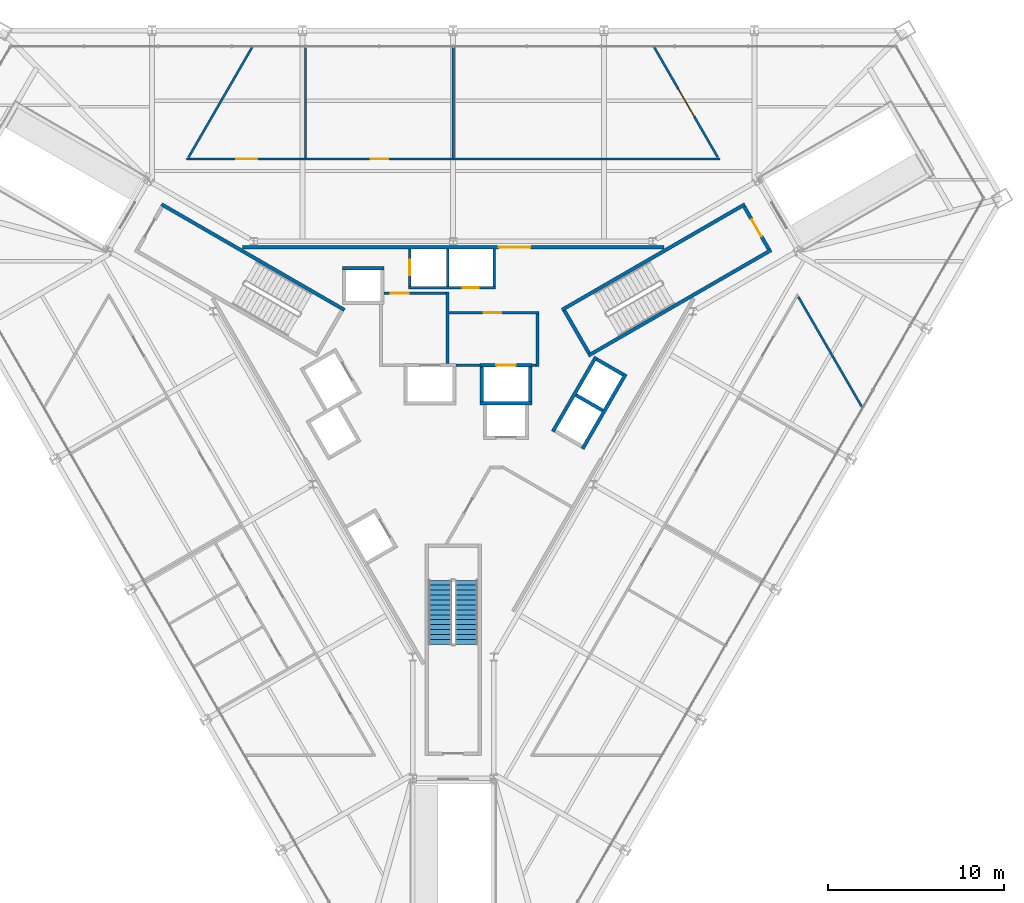
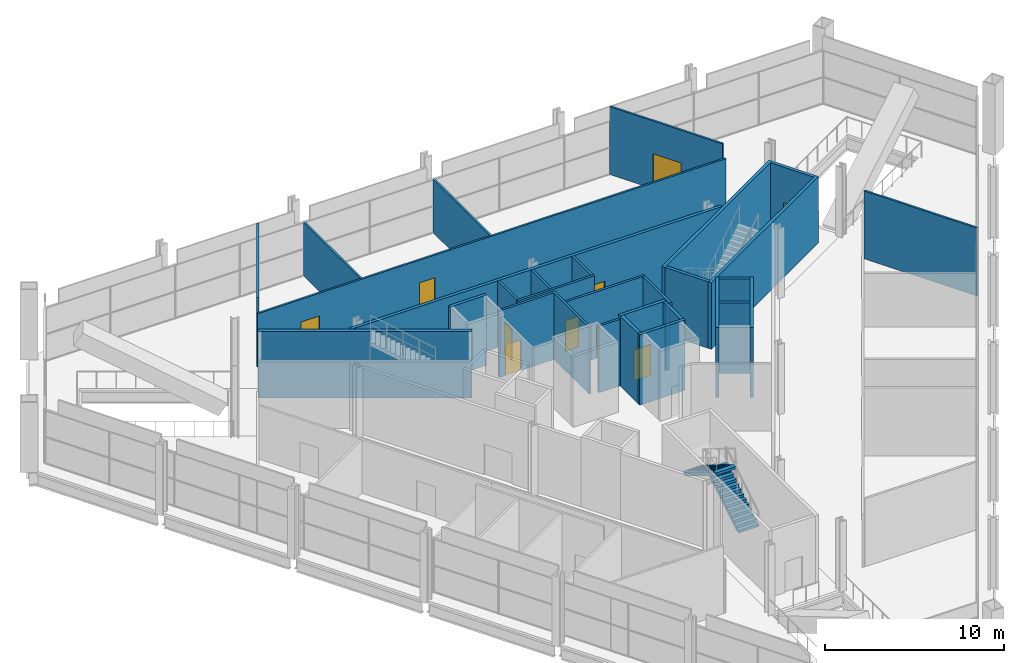
# One storey, part 14 of 18: 31 walls, 10 doors, 2 stair flights, 10 openings, 1 element without a shape of its own.
"""IFC4 building model written with IfcOpenShell, lengths in metres."""

from ifc_helpers import new_model, si_unit, direction, frame, frame_2d, origin, place, context, subcontext, project, spatial, polyline, rectangle, outline, extrude, material, layer, layer_set, type_object, element, fill, aggregate, save


model = new_model("IFC4")

# Units and contexts
model_context = context("Model", 3, precision=1e-05, world=origin(), true_north=direction((0.0, 1.0)))
body_context = subcontext(model_context, "Body", "Model", "MODEL_VIEW")
ifc_project = project(units=[si_unit("LENGTHUNIT", "METRE"), si_unit("AREAUNIT", "SQUARE_METRE"), si_unit("VOLUMEUNIT", "CUBIC_METRE"), si_unit("PLANEANGLEUNIT", "RADIAN"), si_unit("MASSUNIT", "GRAM", prefix="KILO")], contexts=[model_context])

# Site, building, storey
site_placement = place(None, origin())
site = spatial("IfcSite", under=ifc_project, at=site_placement, CompositionType="ELEMENT")
building_placement = place(site_placement, origin())
building = spatial("IfcBuilding", under=site, at=building_placement, Name="Verrane Prism Tower", CompositionType="ELEMENT")
storey_placement = place(building_placement, frame((0.0, 0.0, 22.39990234375)))
storey = spatial("IfcBuildingStorey", under=building, at=storey_placement, Name="L03", CompositionType="ELEMENT", Elevation=22.39990234375)

# Walls
ifc_material_1 = material(Name="Gypsum board partition", Category="other")
ifc_layer_1 = layer(ifc_material_1, 0.125)
ifc_layer_set_1 = layer_set([ifc_layer_1], Name="BW-125 demising wall 1 h")
wall_type_1 = type_object("IfcWallType", Name="BW-125 demising wall 1 h", PredefinedType="PARTITIONING", material=ifc_layer_set_1)
for number, where, z_axis, x_axis, name in (
    (1, (-8.383056640625, 13.9326171875, 0.0), (0.0, 0.0, 1.0), (0.0, 1.0, 0.0), "Demising wall 012"),
    (2, (0.0, 13.9326171875, 0.0), (0.0, 0.0, 1.0), (0.0, 1.0, 0.0), "Demising wall 013"),
):
    element("IfcWall", number, at=place(storey_placement, frame(where, z_axis=z_axis, x_axis=x_axis)), inside=storey, type_object=wall_type_1, Name=name, PredefinedType="PARTITIONING", context=body_context, shape_type="SweptSolid", body=[
        extrude(rectangle(XDim=6.33740234375, YDim=0.125, at=frame_2d((3.168701171875, 0.0))), origin(), (0.0, 0.0, 1.0), 3.653076171875),
    ])
ifc_material_2 = material(Name="Gypsum board partition", Category="other")
ifc_layer_2 = layer(ifc_material_2, 0.125)
ifc_layer_set_2 = layer_set([ifc_layer_2], Name="BW-125 shopfront wall 1 h")
wall_type_2 = type_object("IfcWallType", Name="BW-125 shopfront wall 1 h", PredefinedType="PARTITIONING", material=ifc_layer_set_2)
wall_1_placement = place(storey_placement, frame((-15.033447265625, 13.9609375, 0.0), z_axis=(0.0, 0.0, 1.0), x_axis=(0.499977739203, 0.86603825568, 0.0)))
element("IfcWall", 3, at=wall_1_placement, inside=storey, type_object=wall_type_2, Name="Shopfront wall 006", PredefinedType="PARTITIONING", context=body_context, shape_type="SweptSolid", body=[
    extrude(rectangle(XDim=7.284912109375, YDim=0.125, at=frame_2d((3.642578125, 0.0))), origin(), (0.0, 0.0, 1.0), 4.64013671875),
])

# Wall, openings, doors
wall_2_placement = place(storey_placement, frame((-15.1484375, 13.8701171875, 0.0), z_axis=(0.0, 0.0, 1.0), x_axis=(1.0, 0.0, 0.0)))
wall_2 = element("IfcWall", 4, at=wall_2_placement, inside=storey, type_object=wall_type_2, Name="Shopfront wall 007", PredefinedType="PARTITIONING", context=body_context, shape_type="SweptSolid", body=[
    extrude(rectangle(XDim=30.296875, YDim=0.125, at=frame_2d((15.1484375, 0.0))), origin(), (0.0, 0.0, 1.0), 3.653076171875),
])
opening_1_placement = place(wall_2_placement, frame((10.465576171875, 0.0, 0.0)))
opening_1 = element("IfcOpeningElement", 5, at=opening_1_placement, cuts=wall_2, Name="Opening D03002", PredefinedType="OPENING", context=body_context, shape_type="SweptSolid", body=[
    extrude(rectangle(XDim=1.0, YDim=2.10009765625, at=frame_2d((0.5, 1.050048828125))), frame((0.0, 0.072509765625, 0.0), z_axis=(0.0, -1.0, 0.0), x_axis=(1.0, 0.0, 0.0)), (0.0, 0.0, 1.0), 0.14501953125),
])
opening_2_placement = place(wall_2_placement, frame((2.8125, 0.0, 0.0)))
opening_2 = element("IfcOpeningElement", 6, at=opening_2_placement, cuts=wall_2, Name="Opening D03003", PredefinedType="OPENING", context=body_context, shape_type="SweptSolid", body=[
    extrude(rectangle(XDim=1.199951171875, YDim=2.10009765625, at=frame_2d((0.60009765625, 1.050048828125))), frame((0.0, 0.072509765625, 0.0), z_axis=(0.0, -1.0, 0.0), x_axis=(1.0, 0.0, 0.0)), (0.0, 0.0, 1.0), 0.14501953125),
])
ifc_material_3 = material(Name="Timber veneered door leaf", Category="wood")
door_type_1 = type_object("IfcDoorType", Name="DR-1000x2100 FD20 single leaf shopfront", OperationType="NOTDEFINED", PredefinedType="DOOR", material=ifc_material_3)
door_1_placement = place(opening_1_placement, origin())
door_1 = element("IfcDoor", 7, at=door_1_placement, inside=storey, type_object=door_type_1, Name="Door Cafe 0302", OperationType="SINGLE_SWING_RIGHT", OverallHeight=2.10009765625, OverallWidth=1.0, PredefinedType="DOOR", context=body_context, shape_type="SweptSolid", body=[
    extrude(rectangle(XDim=1.0, YDim=2.10009765625, at=frame_2d((0.5, 1.050048828125))), frame((0.0, 0.02490234375, 0.0), z_axis=(0.0, -1.0, 0.0), x_axis=(1.0, 0.0, 0.0)), (0.0, 0.0, 1.0), 0.050048828125),
])
fill(opening_1, door_1)
ifc_material_4 = material(Name="Timber veneered door leaf", Category="wood")
door_type_2 = type_object("IfcDoorType", Name="DR-1200x2100 FD20 single leaf shopfront", OperationType="NOTDEFINED", PredefinedType="DOOR", material=ifc_material_4)
door_2_placement = place(opening_2_placement, origin())
door_2 = element("IfcDoor", 8, at=door_2_placement, inside=storey, type_object=door_type_2, Name="Door Shop 0303", OperationType="SINGLE_SWING_LEFT", OverallHeight=2.10009765625, OverallWidth=1.199951171875, PredefinedType="DOOR", context=body_context, shape_type="SweptSolid", body=[
    extrude(rectangle(XDim=1.199951171875, YDim=2.10009765625, at=frame_2d((0.60009765625, 1.050048828125))), frame((0.0, 0.02490234375, 0.0), z_axis=(0.0, -1.0, 0.0), x_axis=(1.0, 0.0, 0.0)), (0.0, 0.0, 1.0), 0.050048828125),
])
fill(opening_2, door_2)

# Wall, opening, door
wall_3_placement = place(storey_placement, frame((15.033447265625, 13.9609375, 0.0), z_axis=(0.0, 0.0, 1.0), x_axis=(-0.499977739203, 0.86603825568, 0.0)))
wall_3 = element("IfcWall", 9, at=wall_3_placement, inside=storey, type_object=wall_type_2, Name="Shopfront wall 017", PredefinedType="PARTITIONING", context=body_context, shape_type="SweptSolid", body=[
    extrude(rectangle(XDim=7.284912109375, YDim=0.125, at=frame_2d((3.642578125, 0.0))), origin(), (0.0, 0.0, 1.0), 4.64013671875),
])
opening_3_placement = place(wall_3_placement, frame((2.68505859375, 0.0, 0.0)))
opening_3 = element("IfcOpeningElement", 10, at=opening_3_placement, cuts=wall_3, Name="Opening D03001", PredefinedType="OPENING", context=body_context, shape_type="SweptSolid", body=[
    extrude(rectangle(XDim=1.800048828125, YDim=2.39990234375, at=frame_2d((0.89990234375, 1.199951171875))), frame((0.0, 0.072509765625, 0.0), z_axis=(0.0, -1.0, 0.0), x_axis=(1.0, 0.0, 0.0)), (0.0, 0.0, 1.0), 0.14501953125),
])
ifc_material_5 = material(Name="Aluminium and glass door leaf", Category="aluminium")
door_type_3 = type_object("IfcDoorType", Name="DR-1800x2400 FD20 double leaf shopfront", OperationType="NOTDEFINED", PredefinedType="DOOR", material=ifc_material_5)
door_3_placement = place(opening_3_placement, origin())
door_3 = element("IfcDoor", 11, at=door_3_placement, inside=storey, type_object=door_type_3, Name="Door Restaurant 0301", OperationType="DOUBLE_DOOR_SINGLE_SWING", OverallHeight=2.39990234375, OverallWidth=1.800048828125, PredefinedType="DOOR", context=body_context, shape_type="SweptSolid", body=[
    extrude(rectangle(XDim=1.800048828125, YDim=2.39990234375, at=frame_2d((0.89990234375, 1.199951171875))), frame((0.0, 0.02490234375, 0.0), z_axis=(0.0, -1.0, 0.0), x_axis=(1.0, 0.0, 0.0)), (0.0, 0.0, 1.0), 0.050048828125),
])
fill(opening_3, door_3)

# Wall
wall_4_placement = place(storey_placement, frame((19.607421875, 6.0390625, 0.0), z_axis=(0.0, 0.0, 1.0), x_axis=(0.500002873931, -0.866023744513, 0.0)))
element("IfcWall", 12, at=wall_4_placement, inside=storey, type_object=wall_type_2, Name="Shopfront wall 020", PredefinedType="PARTITIONING", context=body_context, shape_type="SweptSolid", body=[
    extrude(rectangle(XDim=7.28515625, YDim=0.125, at=frame_2d((3.642578125, 0.0))), origin(), (0.0, 0.0, 1.0), 4.64013671875),
])

# Wall, opening, door
ifc_material_6 = material(Name="Gypsum board partition", Category="other")
ifc_layer_3 = layer(ifc_material_6, 0.199951171875)
ifc_layer_set_3 = layer_set([ifc_layer_3], Name="CW-200 core boundary wall 2 h")
wall_type_3 = type_object("IfcWallType", Name="CW-200 core boundary wall 2 h", PredefinedType="PARTITIONING", material=ifc_layer_set_3)
wall_5_placement = place(storey_placement, frame((11.986083984375, 8.860107421875, 0.0), z_axis=(0.0, 0.0, 1.0), x_axis=(-1.0, 0.0, 0.0)))
wall_5 = element("IfcWall", 13, at=wall_5_placement, inside=storey, type_object=wall_type_3, Name="Core boundary wall CW3-002", PredefinedType="PARTITIONING", context=body_context, shape_type="SweptSolid", body=[
    extrude(rectangle(XDim=23.967041015625, YDim=0.199951171875, at=frame_2d((11.9833984375, 0.0))), origin(), (0.0, 0.0, 1.0), 4.550048828125),
])
opening_4_placement = place(wall_5_placement, frame((7.595947265625, 0.0, 0.0)))
opening_4 = element("IfcOpeningElement", 14, at=opening_4_placement, cuts=wall_5, Name="Opening D03509", PredefinedType="OPENING", context=body_context, shape_type="SweptSolid", body=[
    extrude(rectangle(XDim=1.800048828125, YDim=2.10009765625, at=frame_2d((0.89990234375, 1.050048828125))), frame((0.0, 0.10986328125, 0.0), z_axis=(0.0, -1.0, 0.0), x_axis=(1.0, 0.0, 0.0)), (0.0, 0.0, 1.0), 0.219970703125),
])
ifc_material_7 = material(Name="Timber veneered door leaf", Category="wood")
door_type_4 = type_object("IfcDoorType", Name="DR-1800x2100 FD60 double leaf lift lobby", OperationType="NOTDEFINED", PredefinedType="DOOR", material=ifc_material_7)
door_4_placement = place(opening_4_placement, origin())
door_4 = element("IfcDoor", 15, at=door_4_placement, inside=storey, type_object=door_type_4, Name="Lift lobby door D03509", OperationType="DOUBLE_DOOR_SINGLE_SWING", OverallHeight=2.10009765625, OverallWidth=1.800048828125, PredefinedType="DOOR", context=body_context, shape_type="SweptSolid", body=[
    extrude(rectangle(XDim=1.800048828125, YDim=2.10009765625, at=frame_2d((0.89990234375, 1.050048828125))), frame((0.0, 0.02490234375, 0.0), z_axis=(0.0, -1.0, 0.0), x_axis=(1.0, 0.0, 0.0)), (0.0, 0.0, 1.0), 0.050048828125),
])
fill(opening_4, door_4)

ifc_material_8 = material(Name="Concrete C40/50", Category="concrete")
ifc_layer_4 = layer(ifc_material_8, 0.199951171875)
ifc_layer_set_4 = layer_set([ifc_layer_4], Name="CW-200 stair core wall concrete C40/50 3 h")
wall_type_4 = type_object("IfcWallType", Name="CW-200 stair core wall concrete C40/50 3 h", PredefinedType="PARTITIONING", material=ifc_layer_set_4)
wall_6_placement = place(storey_placement, frame((17.933837890625, 8.737548828125, 0.0), z_axis=(0.0, 0.0, 1.0), x_axis=(-0.49998411664, 0.866034573852, 0.0)))
wall_6 = element("IfcWall", 16, at=wall_6_placement, inside=storey, type_object=wall_type_4, Name="Stair 1 enclosure wall", PredefinedType="PARTITIONING", context=body_context, shape_type="SweptSolid", body=[
    extrude(rectangle(XDim=2.7998046875, YDim=0.199951171875, at=frame_2d((1.39990234375, 0.0))), origin(), (0.0, 0.0, 1.0), 4.550048828125),
])
opening_5_placement = place(wall_6_placement, frame((0.849853515625, 0.0, 0.0)))
opening_5 = element("IfcOpeningElement", 17, at=opening_5_placement, cuts=wall_6, Name="Opening D03500", PredefinedType="OPENING", context=body_context, shape_type="SweptSolid", body=[
    extrude(rectangle(XDim=1.10009765625, YDim=2.10009765625, at=frame_2d((0.550048828125, 1.050048828125))), frame((0.0, 0.10986328125, 0.0), z_axis=(0.0, -1.0, 0.0), x_axis=(1.0, 0.0, 0.0)), (0.0, 0.0, 1.0), 0.219970703125),
])
ifc_material_9 = material(Name="Timber veneered door leaf", Category="wood")
door_type_5 = type_object("IfcDoorType", Name="DR-1100x2100 FD90 single leaf stair", OperationType="NOTDEFINED", PredefinedType="DOOR", material=ifc_material_9)
door_5_placement = place(opening_5_placement, origin())
door_5 = element("IfcDoor", 18, at=door_5_placement, inside=storey, type_object=door_type_5, Name="Stair 1 door", OperationType="SINGLE_SWING_LEFT", OverallHeight=2.10009765625, OverallWidth=1.10009765625, PredefinedType="DOOR", context=body_context, shape_type="SweptSolid", body=[
    extrude(rectangle(XDim=1.10009765625, YDim=2.10009765625, at=frame_2d((0.550048828125, 1.050048828125))), frame((0.0, 0.02490234375, 0.0), z_axis=(0.0, -1.0, 0.0), x_axis=(1.0, 0.0, 0.0)), (0.0, 0.0, 1.0), 0.050048828125),
])
fill(opening_5, door_5)

# Walls
for number, where, z_axis, x_axis, name in (
    (19, (6.17822265625, 5.299072265625, 0.0), (0.0, 0.0, 1.0), (0.866026010844, 0.49999894854, 0.0), "Stair 1 enclosure wall"),
    (20, (7.67822265625, 2.700927734375, 0.0), (0.0, 0.0, 1.0), (0.866026010844, 0.49999894854, 0.0), "Stair 1 enclosure wall"),
):
    element("IfcWall", number, at=place(storey_placement, frame(where, z_axis=z_axis, x_axis=x_axis)), inside=storey, type_object=wall_type_4, Name=name, PredefinedType="PARTITIONING", context=body_context, shape_type="SweptSolid", body=[
        extrude(rectangle(XDim=12.0, YDim=0.199951171875, at=frame_2d((6.0, 0.0))), origin(), (0.0, 0.0, 1.0), 4.550048828125),
    ])
wall_7_placement = place(storey_placement, frame((7.71484375, 2.837646484375, 0.0), z_axis=(0.0, 0.0, 1.0), x_axis=(-0.500049511043, 0.865996816683, 0.0)))
element("IfcWall", 21, at=wall_7_placement, inside=storey, type_object=wall_type_4, Name="Stair 1 enclosure wall", PredefinedType="PARTITIONING", context=body_context, shape_type="SweptSolid", body=[
    extrude(rectangle(XDim=2.800048828125, YDim=0.199951171875, at=frame_2d((1.39990234375, 0.0))), origin(), (0.0, 0.0, 1.0), 4.550048828125),
])
wall_8_placement = place(storey_placement, frame((-6.17822265625, 5.299072265625, 0.0), z_axis=(0.0, 0.0, 1.0), x_axis=(-0.866026010844, 0.49999894854, 0.0)))
element("IfcWall", 22, at=wall_8_placement, inside=storey, type_object=wall_type_4, Name="Stair 2 enclosure wall", PredefinedType="PARTITIONING", context=body_context, shape_type="SweptSolid", body=[
    extrude(rectangle(XDim=12.0, YDim=0.199951171875, at=frame_2d((6.0, 0.0))), origin(), (0.0, 0.0, 1.0), 4.550048828125),
])
ifc_material_10 = material(Name="Gypsum board shaft wall assembly", Category="other")
ifc_layer_5 = layer(ifc_material_10, 0.199951171875)
ifc_layer_set_5 = layer_set([ifc_layer_5], Name="HW-200 lift shaft wall 2 h")
wall_type_5 = type_object("IfcWallType", Name="HW-200 lift shaft wall 2 h", PredefinedType="PARTITIONING", material=ifc_layer_set_5)
wall_9_placement = place(storey_placement, frame((1.52490234375, 0.0, 0.0), z_axis=(0.0, 0.0, 1.0), x_axis=(1.0, 0.0, 0.0)))
element("IfcWall", 23, at=wall_9_placement, inside=storey, type_object=wall_type_5, Name="Lift shaft wall", PredefinedType="PARTITIONING", context=body_context, shape_type="SweptSolid", body=[
    extrude(rectangle(XDim=2.9501953125, YDim=0.199951171875, at=frame_2d((1.47509765625, 0.0))), origin(), (0.0, 0.0, 1.0), 4.800048828125),
])

# Wall, opening, door
wall_10_placement = place(storey_placement, frame((1.52490234375, 2.14990234375, 0.0), z_axis=(0.0, 0.0, 1.0), x_axis=(1.0, 0.0, 0.0)))
wall_10 = element("IfcWall", 24, at=wall_10_placement, inside=storey, type_object=wall_type_5, Name="Lift shaft wall", PredefinedType="PARTITIONING", context=body_context, shape_type="SweptSolid", body=[
    extrude(rectangle(XDim=2.9501953125, YDim=0.199951171875, at=frame_2d((1.47509765625, 0.0))), origin(), (0.0, 0.0, 1.0), 4.800048828125),
])
opening_6_placement = place(wall_10_placement, frame((0.925048828125, 0.0, 0.0)))
opening_6 = element("IfcOpeningElement", 25, at=opening_6_placement, cuts=wall_10, Name="Opening D03504", PredefinedType="OPENING", context=body_context, shape_type="SweptSolid", body=[
    extrude(rectangle(XDim=1.10009765625, YDim=2.10009765625, at=frame_2d((0.550048828125, 1.050048828125))), frame((0.0, 0.10986328125, 0.0), z_axis=(0.0, -1.0, 0.0), x_axis=(1.0, 0.0, 0.0)), (0.0, 0.0, 1.0), 0.219970703125),
])
ifc_material_11 = material(Name="Stainless steel sliding landing door", Category="steel")
door_type_6 = type_object("IfcDoorType", Name="LD-1100x2100 lift landing door FD90 sliding", OperationType="NOTDEFINED", PredefinedType="DOOR", material=ifc_material_11)
door_6_placement = place(opening_6_placement, origin())
door_6 = element("IfcDoor", 26, at=door_6_placement, inside=storey, type_object=door_type_6, Name="Fire service lift 2 landing door", OperationType="SLIDING_TO_RIGHT", OverallHeight=2.10009765625, OverallWidth=1.10009765625, PredefinedType="DOOR", context=body_context, shape_type="SweptSolid", body=[
    extrude(rectangle(XDim=1.10009765625, YDim=2.10009765625, at=frame_2d((0.550048828125, 1.050048828125))), frame((0.0, 0.02490234375, 0.0), z_axis=(0.0, -1.0, 0.0), x_axis=(1.0, 0.0, 0.0)), (0.0, 0.0, 1.0), 0.050048828125),
])
fill(opening_6, door_6)

# Walls
wall_11_placement = place(storey_placement, frame((-6.284912109375, 7.659912109375, 0.0), z_axis=(0.0, 0.0, 1.0), x_axis=(1.0, 0.0, 0.0)))
element("IfcWall", 27, at=wall_11_placement, inside=storey, type_object=wall_type_5, Name="Lift shaft wall", PredefinedType="PARTITIONING", context=body_context, shape_type="SweptSolid", body=[
    extrude(rectangle(XDim=2.349853515625, YDim=0.199951171875, at=frame_2d((1.1748046875, 0.0))), origin(), (0.0, 0.0, 1.0), 4.800048828125),
])
wall_12_placement = place(storey_placement, frame((7.351318359375, -2.587158203125, 0.0), z_axis=(0.0, 0.0, 1.0), x_axis=(0.500002801628, 0.866023786258, 0.0)))
element("IfcWall", 28, at=wall_12_placement, inside=storey, type_object=wall_type_5, Name="Lift shaft wall", PredefinedType="PARTITIONING", context=body_context, shape_type="SweptSolid", body=[
    extrude(rectangle(XDim=4.89990234375, YDim=0.199951171875, at=frame_2d((2.449951171875, 0.0))), origin(), (0.0, 0.0, 1.0), 4.800048828125),
])
wall_13_placement = place(storey_placement, frame((5.66259765625, -1.6123046875, 0.0), z_axis=(0.0, 0.0, 1.0), x_axis=(0.49998122708, 0.866036242063, 0.0)))
element("IfcWall", 29, at=wall_13_placement, inside=storey, type_object=wall_type_5, Name="Lift shaft wall", PredefinedType="PARTITIONING", context=body_context, shape_type="SweptSolid", body=[
    extrude(rectangle(XDim=4.900146484375, YDim=0.199951171875, at=frame_2d((2.4501953125, 0.0))), origin(), (0.0, 0.0, 1.0), 4.800048828125),
])
for number, where, z_axis, x_axis, name in (
    (30, (4.375, 0.10009765625, 0.0), (0.0, 0.0, 1.0), (0.0, 1.0, 0.0), "Lift shaft wall"),
    (31, (1.625, 0.10009765625, 0.0), (0.0, 0.0, 1.0), (0.0, 1.0, 0.0), "Lift shaft wall"),
):
    element("IfcWall", number, at=place(storey_placement, frame(where, z_axis=z_axis, x_axis=x_axis)), inside=storey, type_object=wall_type_5, Name=name, PredefinedType="PARTITIONING", context=body_context, shape_type="SweptSolid", body=[
        extrude(rectangle(XDim=1.949951171875, YDim=0.199951171875, at=frame_2d((0.97509765625, 0.0))), origin(), (0.0, 0.0, 1.0), 4.800048828125),
    ])
wall_14_placement = place(storey_placement, frame((9.66455078125, 1.61962890625, 0.0), z_axis=(0.0, 0.0, 1.0), x_axis=(-0.866002029911, 0.500040482552, 0.0)))
element("IfcWall", 32, at=wall_14_placement, inside=storey, type_object=wall_type_5, Name="Lift shaft wall", PredefinedType="PARTITIONING", context=body_context, shape_type="SweptSolid", body=[
    extrude(rectangle(XDim=1.749755859375, YDim=0.199951171875, at=frame_2d((0.875, 0.0))), origin(), (0.0, 0.0, 1.0), 4.800048828125),
])
wall_15_placement = place(storey_placement, frame((8.48974609375, -0.41552734375, 0.0), z_axis=(0.0, 0.0, 1.0), x_axis=(-0.866036909293, 0.499980071345, 0.0)))
element("IfcWall", 33, at=wall_15_placement, inside=storey, type_object=wall_type_5, Name="Lift shaft wall", PredefinedType="PARTITIONING", context=body_context, shape_type="SweptSolid", body=[
    extrude(rectangle(XDim=1.75, YDim=0.199951171875, at=frame_2d((0.875, 0.0))), origin(), (0.0, 0.0, 1.0), 4.800048828125),
])

# Wall, opening, door
ifc_material_12 = material(Name="Gypsum board partition", Category="other")
ifc_layer_6 = layer(ifc_material_12, 0.14990234375)
ifc_layer_set_6 = layer_set([ifc_layer_6], Name="LF-150 firefighting lobby wall 1 h")
wall_type_6 = type_object("IfcWallType", Name="LF-150 firefighting lobby wall 1 h", PredefinedType="PARTITIONING", material=ifc_layer_set_6)
wall_16_placement = place(storey_placement, frame((-3.93310546875, 6.239990234375, 0.0), z_axis=(0.0, 0.0, 1.0), x_axis=(1.0, 0.0, 0.0)))
wall_16 = element("IfcWall", 34, at=wall_16_placement, inside=storey, type_object=wall_type_6, Name="Firefighting lobby wall LF1-003", PredefinedType="PARTITIONING", context=body_context, shape_type="SweptSolid", body=[
    extrude(rectangle(XDim=3.5380859375, YDim=0.14990234375, at=frame_2d((1.76904296875, 0.0))), origin(), (0.0, 0.0, 1.0), 4.550048828125),
])
opening_7_placement = place(wall_16_placement, frame((0.39990234375, 0.0, 0.0)))
opening_7 = element("IfcOpeningElement", 35, at=opening_7_placement, cuts=wall_16, Name="Opening D03510", PredefinedType="OPENING", context=body_context, shape_type="SweptSolid", body=[
    extrude(rectangle(XDim=1.0, YDim=2.10009765625, at=frame_2d((0.5, 1.050048828125))), frame((0.0, 0.0849609375, 0.0), z_axis=(0.0, -1.0, 0.0), x_axis=(1.0, 0.0, 0.0)), (0.0, 0.0, 1.0), 0.169921875),
])
ifc_material_13 = material(Name="Timber veneered door leaf", Category="wood")
door_type_7 = type_object("IfcDoorType", Name="DR-1000x2100 FD60 single leaf firefighting lobby", OperationType="NOTDEFINED", PredefinedType="DOOR", material=ifc_material_13)
door_7_placement = place(opening_7_placement, origin())
door_7 = element("IfcDoor", 36, at=door_7_placement, inside=storey, type_object=door_type_7, Name="Firefighting lobby door D03510", OperationType="SINGLE_SWING_LEFT", OverallHeight=2.10009765625, OverallWidth=1.0, PredefinedType="DOOR", context=body_context, shape_type="SweptSolid", body=[
    extrude(rectangle(XDim=1.0, YDim=2.10009765625, at=frame_2d((0.5, 1.050048828125))), frame((0.0, 0.02490234375, 0.0), z_axis=(0.0, -1.0, 0.0), x_axis=(1.0, 0.0, 0.0)), (0.0, 0.0, 1.0), 0.050048828125),
])
fill(opening_7, door_7)

# Wall
wall_17_placement = place(storey_placement, frame((-0.320068359375, 2.251953125, 0.0), z_axis=(0.0, 0.0, 1.0), x_axis=(0.0, 1.0, 0.0)))
element("IfcWall", 37, at=wall_17_placement, inside=storey, type_object=wall_type_6, Name="Firefighting lobby wall LF1-004", PredefinedType="PARTITIONING", context=body_context, shape_type="SweptSolid", body=[
    extrude(rectangle(XDim=4.06298828125, YDim=0.14990234375, at=frame_2d((2.031494140625, 0.0))), origin(), (0.0, 0.0, 1.0), 4.550048828125),
])

# Wall, opening, door
wall_18_placement = place(storey_placement, frame((-0.2451171875, 5.139892578125, 0.0), z_axis=(0.0, 0.0, 1.0), x_axis=(1.0, 0.0, 0.0)))
wall_18 = element("IfcWall", 38, at=wall_18_placement, inside=storey, type_object=wall_type_6, Name="Firefighting lobby wall LF1-005", PredefinedType="PARTITIONING", context=body_context, shape_type="SweptSolid", body=[
    extrude(rectangle(XDim=5.110107421875, YDim=0.14990234375, at=frame_2d((2.55517578125, 0.0))), origin(), (0.0, 0.0, 1.0), 4.550048828125),
])
opening_8_placement = place(wall_18_placement, frame((1.97509765625, 0.0, 0.0)))
opening_8 = element("IfcOpeningElement", 39, at=opening_8_placement, cuts=wall_18, Name="Opening D03514", PredefinedType="OPENING", context=body_context, shape_type="SweptSolid", body=[
    extrude(rectangle(XDim=1.0, YDim=2.10009765625, at=frame_2d((0.5, 1.050048828125))), frame((0.0, 0.0849609375, 0.0), z_axis=(0.0, -1.0, 0.0), x_axis=(1.0, 0.0, 0.0)), (0.0, 0.0, 1.0), 0.169921875),
])
door_8_placement = place(opening_8_placement, origin())
door_8 = element("IfcDoor", 40, at=door_8_placement, inside=storey, type_object=door_type_7, Name="Firefighting lobby door D03514", OperationType="SINGLE_SWING_RIGHT", OverallHeight=2.10009765625, OverallWidth=1.0, PredefinedType="DOOR", context=body_context, shape_type="SweptSolid", body=[
    extrude(rectangle(XDim=1.0, YDim=2.10009765625, at=frame_2d((0.5, 1.050048828125))), frame((0.0, 0.02490234375, 0.0), z_axis=(0.0, -1.0, 0.0), x_axis=(1.0, 0.0, 0.0)), (0.0, 0.0, 1.0), 0.050048828125),
])
fill(opening_8, door_8)

# Walls
wall_19_placement = place(storey_placement, frame((0.1669921875, 2.159912109375, 0.0), z_axis=(0.0, 0.0, 1.0), x_axis=(1.0, 0.0, 0.0)))
element("IfcWall", 41, at=wall_19_placement, inside=storey, type_object=wall_type_6, Name="Firefighting lobby wall LF1-006", PredefinedType="PARTITIONING", context=body_context, shape_type="SweptSolid", body=[
    extrude(rectangle(XDim=1.35595703125, YDim=0.14990234375, at=frame_2d((0.677978515625, 0.0))), origin(), (0.0, 0.0, 1.0), 4.550048828125),
])
wall_20_placement = place(storey_placement, frame((4.47705078125, 2.159912109375, 0.0), z_axis=(0.0, 0.0, 1.0), x_axis=(1.0, 0.0, 0.0)))
element("IfcWall", 42, at=wall_20_placement, inside=storey, type_object=wall_type_6, Name="Firefighting lobby wall LF1-007", PredefinedType="PARTITIONING", context=body_context, shape_type="SweptSolid", body=[
    extrude(rectangle(XDim=0.238037109375, YDim=0.14990234375, at=frame_2d((0.119140625, 0.0))), origin(), (0.0, 0.0, 1.0), 4.550048828125),
])
wall_21_placement = place(storey_placement, frame((4.7900390625, 2.0849609375, 0.0), z_axis=(0.0, 0.0, 1.0), x_axis=(0.0, 1.0, 0.0)))
element("IfcWall", 43, at=wall_21_placement, inside=storey, type_object=wall_type_6, Name="Firefighting lobby wall LF1-008", PredefinedType="PARTITIONING", context=body_context, shape_type="SweptSolid", body=[
    extrude(rectangle(XDim=2.97998046875, YDim=0.14990234375, at=frame_2d((1.489990234375, 0.0))), origin(), (0.0, 0.0, 1.0), 4.550048828125),
])

# Wall, opening, door
ifc_material_14 = material(Name="Gypsum board partition", Category="other")
ifc_layer_7 = layer(ifc_material_14, 0.14990234375)
ifc_layer_set_7 = layer_set([ifc_layer_7], Name="RS-150 riser enclosure wall 1 h")
wall_type_7 = type_object("IfcWallType", Name="RS-150 riser enclosure wall 1 h", PredefinedType="PARTITIONING", material=ifc_layer_set_7)
wall_22_placement = place(storey_placement, frame((-2.4599609375, 8.760009765625, 0.0), z_axis=(0.0, 0.0, 1.0), x_axis=(0.0, -1.0, 0.0)))
wall_22 = element("IfcWall", 44, at=wall_22_placement, inside=storey, type_object=wall_type_7, Name="Riser wall RS3-001", PredefinedType="PARTITIONING", context=body_context, shape_type="SweptSolid", body=[
    extrude(rectangle(XDim=2.125, YDim=0.14990234375, at=frame_2d((1.0625, 0.0))), origin(), (0.0, 0.0, 1.0), 4.550048828125),
])
opening_9_placement = place(wall_22_placement, frame((0.60009765625, 0.0, 0.0)))
opening_9 = element("IfcOpeningElement", 45, at=opening_9_placement, cuts=wall_22, Name="Opening D03511", PredefinedType="OPENING", context=body_context, shape_type="SweptSolid", body=[
    extrude(rectangle(XDim=0.89990234375, YDim=2.10009765625, at=frame_2d((0.449951171875, 1.050048828125))), frame((0.0, 0.0849609375, 0.0), z_axis=(0.0, -1.0, 0.0), x_axis=(1.0, 0.0, 0.0)), (0.0, 0.0, 1.0), 0.169921875),
])
ifc_material_15 = material(Name="Timber veneered door leaf", Category="wood")
door_type_8 = type_object("IfcDoorType", Name="DR-900x2100 FD60 single leaf riser", OperationType="NOTDEFINED", PredefinedType="DOOR", material=ifc_material_15)
door_9_placement = place(opening_9_placement, origin())
door_9 = element("IfcDoor", 46, at=door_9_placement, inside=storey, type_object=door_type_8, Name="Riser door D03511", OperationType="SINGLE_SWING_RIGHT", OverallHeight=2.10009765625, OverallWidth=0.89990234375, PredefinedType="DOOR", context=body_context, shape_type="SweptSolid", body=[
    extrude(rectangle(XDim=0.89990234375, YDim=2.10009765625, at=frame_2d((0.449951171875, 1.050048828125))), frame((0.0, 0.02490234375, 0.0), z_axis=(0.0, -1.0, 0.0), x_axis=(1.0, 0.0, 0.0)), (0.0, 0.0, 1.0), 0.050048828125),
])
fill(opening_9, door_9)

wall_23_placement = place(storey_placement, frame((-2.534912109375, 6.56005859375, 0.0), z_axis=(0.0, 0.0, 1.0), x_axis=(1.0, 0.0, 0.0)))
wall_23 = element("IfcWall", 47, at=wall_23_placement, inside=storey, type_object=wall_type_7, Name="Riser wall RS3-002", PredefinedType="PARTITIONING", context=body_context, shape_type="SweptSolid", body=[
    extrude(rectangle(XDim=4.949951171875, YDim=0.14990234375, at=frame_2d((2.47509765625, 0.0))), origin(), (0.0, 0.0, 1.0), 4.550048828125),
])
opening_10_placement = place(wall_23_placement, frame((3.0849609375, 0.0, 0.0)))
opening_10 = element("IfcOpeningElement", 48, at=opening_10_placement, cuts=wall_23, Name="Opening D03512", PredefinedType="OPENING", context=body_context, shape_type="SweptSolid", body=[
    extrude(rectangle(XDim=0.89990234375, YDim=2.10009765625, at=frame_2d((0.449951171875, 1.050048828125))), frame((0.0, 0.0849609375, 0.0), z_axis=(0.0, -1.0, 0.0), x_axis=(1.0, 0.0, 0.0)), (0.0, 0.0, 1.0), 0.169921875),
])
door_10_placement = place(opening_10_placement, origin())
door_10 = element("IfcDoor", 49, at=door_10_placement, inside=storey, type_object=door_type_8, Name="Riser door D03512", OperationType="SINGLE_SWING_RIGHT", OverallHeight=2.10009765625, OverallWidth=0.89990234375, PredefinedType="DOOR", context=body_context, shape_type="SweptSolid", body=[
    extrude(rectangle(XDim=0.89990234375, YDim=2.10009765625, at=frame_2d((0.449951171875, 1.050048828125))), frame((0.0, 0.02490234375, 0.0), z_axis=(0.0, -1.0, 0.0), x_axis=(1.0, 0.0, 0.0)), (0.0, 0.0, 1.0), 0.050048828125),
])
fill(opening_10, door_10)

# Walls
for number, where, z_axis, x_axis, name in (
    (50, (-0.300048828125, 6.635009765625, 0.0), (0.0, 0.0, 1.0), (0.0, 1.0, 0.0), "Riser wall RS3-004"),
    (51, (2.340087890625, 6.635009765625, 0.0), (0.0, 0.0, 1.0), (0.0, 1.0, 0.0), "Riser wall RS3-006"),
):
    element("IfcWall", number, at=place(storey_placement, frame(where, z_axis=z_axis, x_axis=x_axis)), inside=storey, type_object=wall_type_7, Name=name, PredefinedType="PARTITIONING", context=body_context, shape_type="SweptSolid", body=[
        extrude(rectangle(XDim=2.125, YDim=0.14990234375, at=frame_2d((1.0625, 0.0))), origin(), (0.0, 0.0, 1.0), 4.550048828125),
    ])

# Stair, stair flights
ifc_material_16 = material(Name="Concrete C40/50", Category="concrete")
stair_type = type_object("IfcStairType", Name="Exit stair 1300 dog-leg precast concrete C40/50", PredefinedType="HALF_TURN_STAIR", material=ifc_material_16)
stair_placement = place(storey_placement, origin())
stair = element("IfcStair", 52, at=stair_placement, inside=storey, type_object=stair_type, Name="Stair 3 L03", PredefinedType="HALF_TURN_STAIR")
ifc_material_17 = material(Name="Concrete C40/50", Category="concrete")
stair_flight_type = type_object("IfcStairFlightType", Name="Stair flight 1300 precast concrete C40/50", PredefinedType="STRAIGHT", material=ifc_material_17)
stair_flight_1_placement = place(storey_placement, frame((0.75, -13.699951171875, 0.0), z_axis=(0.0, 0.0, 1.0), x_axis=(0.0, 1.0, 0.0)))
stair_flight_1 = element("IfcStairFlight", 53, at=stair_flight_1_placement, type_object=stair_flight_type, Name="Stair 3 flight 1", NumberOfRisers=14, NumberOfTreads=13, PredefinedType="STRAIGHT", RiserHeight=0.171428571, TreadLength=0.28, context=body_context, shape_type="SweptSolid", body=[
    extrude(outline(polyline([(0.0, 0.0), (0.0, 0.17138671875), (0.280029296875, 0.17138671875), (0.280029296875, 0.3427734375), (0.56005859375, 0.3427734375), (0.56005859375, 0.514404296875), (0.840087890625, 0.514404296875), (0.840087890625, 0.685791015625), (1.1201171875, 0.685791015625), (1.1201171875, 0.857177734375), (1.39990234375, 0.857177734375), (1.39990234375, 1.028564453125), (1.679931640625, 1.028564453125), (1.679931640625, 1.199951171875), (1.9599609375, 1.199951171875), (1.9599609375, 1.371337890625), (2.239990234375, 1.371337890625), (2.239990234375, 1.54296875), (2.52001953125, 1.54296875), (2.52001953125, 1.71435546875), (2.800048828125, 1.71435546875), (2.800048828125, 1.8857421875), (3.080078125, 1.8857421875), (3.080078125, 2.05712890625), (3.360107421875, 2.05712890625), (3.360107421875, 2.228515625), (3.639892578125, 2.228515625), (3.639892578125, 2.39990234375), (3.639892578125, 2.052734375), (0.287109375, 0.0), (0.0, 0.0)])), frame((0.0, 0.64990234375, 0.0), z_axis=(0.0, -1.0, 0.0), x_axis=(1.0, 0.0, 0.0)), (0.0, 0.0, 1.0), 1.300048828125),
])
stair_flight_2_placement = place(storey_placement, frame((-0.75, -10.06005859375, 2.400146484375), z_axis=(0.0, 0.0, 1.0), x_axis=(0.0, -1.0, 0.0)))
stair_flight_2 = element("IfcStairFlight", 54, at=stair_flight_2_placement, type_object=stair_flight_type, Name="Stair 3 flight 2", NumberOfRisers=14, NumberOfTreads=13, PredefinedType="STRAIGHT", RiserHeight=0.171428571, TreadLength=0.28, context=body_context, shape_type="SweptSolid", body=[
    extrude(outline(polyline([(0.0, 0.0), (0.0, 0.17138671875), (0.280029296875, 0.17138671875), (0.280029296875, 0.3427734375), (0.56005859375, 0.3427734375), (0.56005859375, 0.514404296875), (0.840087890625, 0.514404296875), (0.840087890625, 0.685791015625), (1.1201171875, 0.685791015625), (1.1201171875, 0.857177734375), (1.39990234375, 0.857177734375), (1.39990234375, 1.028564453125), (1.679931640625, 1.028564453125), (1.679931640625, 1.199951171875), (1.9599609375, 1.199951171875), (1.9599609375, 1.371337890625), (2.239990234375, 1.371337890625), (2.239990234375, 1.54296875), (2.52001953125, 1.54296875), (2.52001953125, 1.71435546875), (2.800048828125, 1.71435546875), (2.800048828125, 1.8857421875), (3.080078125, 1.8857421875), (3.080078125, 2.05712890625), (3.360107421875, 2.05712890625), (3.360107421875, 2.228515625), (3.639892578125, 2.228515625), (3.639892578125, 2.39990234375), (3.639892578125, 2.052734375), (0.287109375, 0.0), (0.0, 0.0)])), frame((0.0, 0.64990234375, 0.0), z_axis=(0.0, -1.0, 0.0), x_axis=(1.0, 0.0, 0.0)), (0.0, 0.0, 1.0), 1.300048828125),
])
aggregate(stair, [stair_flight_1, stair_flight_2])

save(model, "model.ifc")
